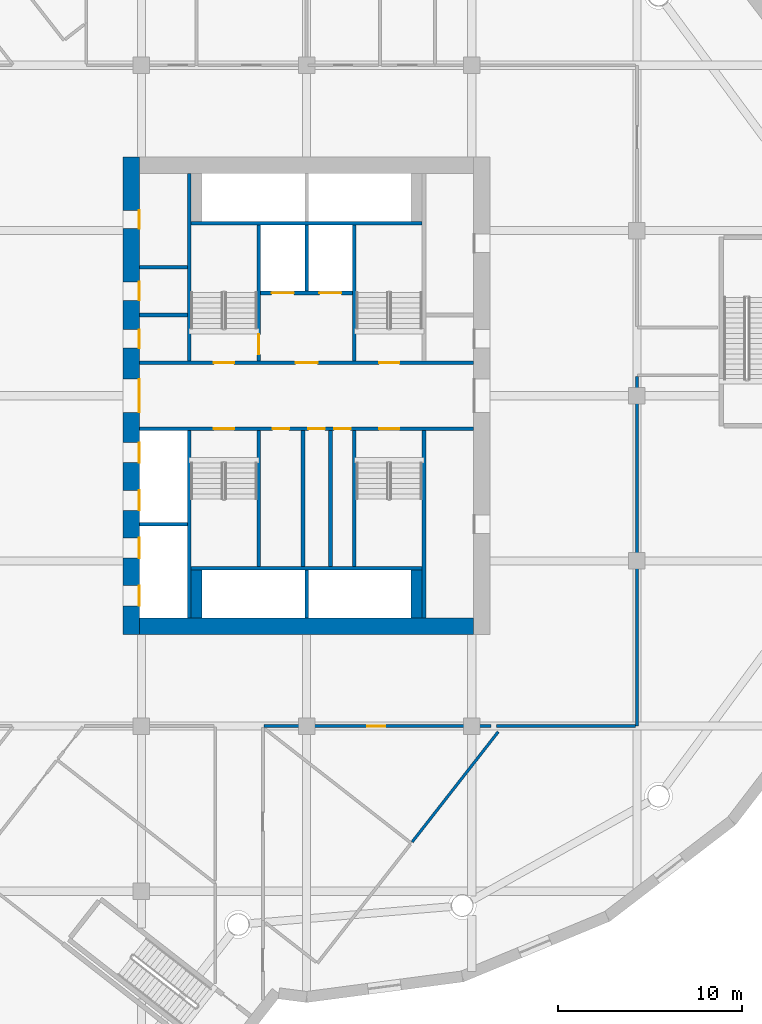
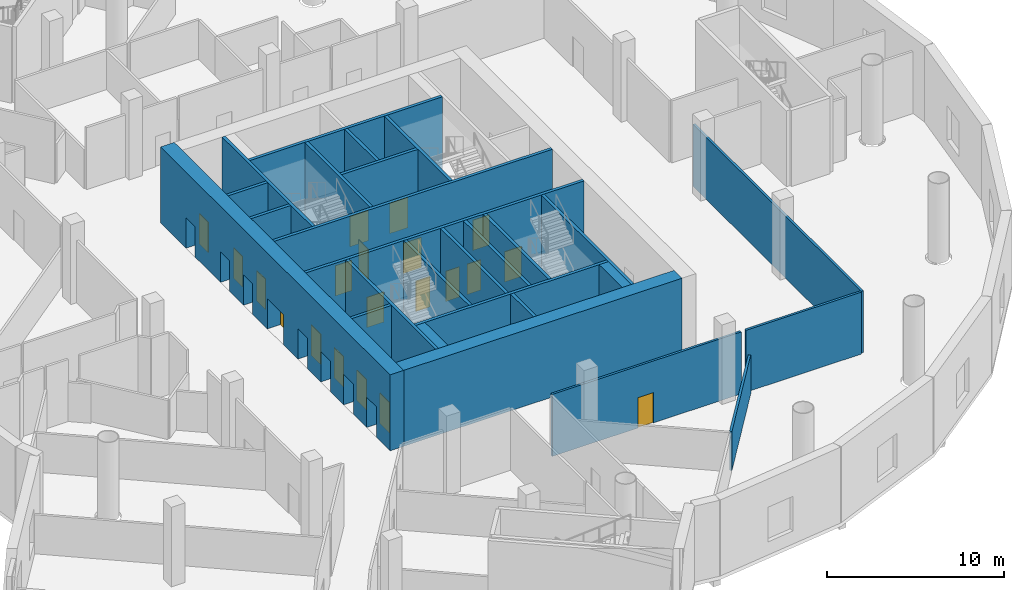
# One storey, part 7 of 23: 27 walls, 20 doors, 20 openings.
"""IFC4 building model written with IfcOpenShell, lengths in metres."""

from ifc_helpers import new_model, si_unit, direction, frame, frame_2d, origin, place, context, subcontext, project, spatial, rectangle, extrude, material, layer, layer_set, type_object, element, fill, save


model = new_model("IFC4")

# Units and contexts
model_context = context("Model", 3, precision=1e-05, world=origin(), true_north=direction((0.0, 1.0)))
body_context = subcontext(model_context, "Body", "Model", "MODEL_VIEW")
ifc_project = project(units=[si_unit("LENGTHUNIT", "METRE"), si_unit("AREAUNIT", "SQUARE_METRE"), si_unit("VOLUMEUNIT", "CUBIC_METRE"), si_unit("PLANEANGLEUNIT", "RADIAN"), si_unit("MASSUNIT", "GRAM", prefix="KILO")], contexts=[model_context])

# Site, building, storey
site_placement = place(None, origin())
site = spatial("IfcSite", under=ifc_project, at=site_placement, CompositionType="ELEMENT")
building_placement = place(site_placement, origin())
building = spatial("IfcBuilding", under=site, at=building_placement, Name="Tarsis Ring Headquarters", CompositionType="ELEMENT")
storey_placement = place(building_placement, frame((0.0, 0.0, 19.5)))
storey = spatial("IfcBuildingStorey", under=building, at=storey_placement, Name="L03", CompositionType="ELEMENT", Elevation=19.5)

# Walls
ifc_material_1 = material(Name="Blockwork", Category="masonry")
ifc_layer_1 = layer(ifc_material_1, 0.199951171875)
ifc_layer_set_1 = layer_set([ifc_layer_1], Name="Core blockwork wall 200")
wall_type_1 = type_object("IfcWallType", Name="Core blockwork wall 200", PredefinedType="PARTITIONING", material=ifc_layer_set_1)
for number, where, z_axis, x_axis, name in (
    (1, (-9.10009765625, 4.39990234375, 0.0), (0.0, 0.0, 1.0), (1.0, 0.0, 0.0), "Core partition WD5"),
    (2, (-9.10009765625, 7.0, 0.0), (0.0, 0.0, 1.0), (1.0, 0.0, 0.0), "Core partition WD6"),
):
    element("IfcWall", number, at=place(storey_placement, frame(where, z_axis=z_axis, x_axis=x_axis)), inside=storey, type_object=wall_type_1, Name=name, PredefinedType="PARTITIONING", context=body_context, shape_type="SweptSolid", body=[
        extrude(rectangle(XDim=2.60009765625, YDim=0.199951171875, at=frame_2d((1.300048828125, 0.0))), origin(), (0.0, 0.0, 1.0), 5.25),
    ])
for number, where, z_axis, x_axis, name in (
    (3, (-0.199951171875, -9.300048828125, 0.0), (0.0, 0.0, 1.0), (0.0, 1.0, 0.0), "Core partition SV1"),
    (4, (1.300048828125, -9.300048828125, 0.0), (0.0, 0.0, 1.0), (0.0, 1.0, 0.0), "Core partition SV2"),
):
    element("IfcWall", number, at=place(storey_placement, frame(where, z_axis=z_axis, x_axis=x_axis)), inside=storey, type_object=wall_type_1, Name=name, PredefinedType="PARTITIONING", context=body_context, shape_type="SweptSolid", body=[
        extrude(rectangle(XDim=7.400146484375, YDim=0.199951171875, at=frame_2d((3.7001953125, 0.0))), origin(), (0.0, 0.0, 1.0), 5.25),
    ])

# Wall, openings, doors
ifc_material_2 = material(Name="Concrete C60/75", Category="concrete")
ifc_layer_2 = layer(ifc_material_2, 0.89990234375)
ifc_layer_set_2 = layer_set([ifc_layer_2], Name="Core wall 900 C60/75")
wall_type_2 = type_object("IfcWallType", Name="Core wall 900 C60/75", PredefinedType="SHEAR", material=ifc_layer_set_2)
wall_1_placement = place(storey_placement, frame((-9.550048828125, -13.0, 0.0), z_axis=(0.0, 0.0, 1.0), x_axis=(0.0, 1.0, 0.0)))
wall_1 = element("IfcWall", 5, at=wall_1_placement, inside=storey, type_object=wall_type_2, Name="Core wall OW", PredefinedType="SHEAR", context=body_context, shape_type="SweptSolid", body=[
    extrude(rectangle(XDim=26.0, YDim=0.89990234375, at=frame_2d((13.0, 0.0))), origin(), (0.0, 0.0, 1.0), 5.25),
])
opening_1_placement = place(wall_1_placement, frame((1.550048828125, 0.0, 0.0)))
opening_1 = element("IfcOpeningElement", 6, at=opening_1_placement, cuts=wall_1, Name="Opening LD-LR1", PredefinedType="OPENING", context=body_context, shape_type="SweptSolid", body=[
    extrude(rectangle(XDim=1.10009765625, YDim=2.10009765625, at=frame_2d((0.550048828125, 1.050048828125))), frame((0.0, 0.4599609375, 0.0), z_axis=(0.0, -1.0, 0.0), x_axis=(1.0, 0.0, 0.0)), (0.0, 0.0, 1.0), 0.919921875),
])
opening_2_placement = place(wall_1_placement, frame((4.14990234375, 0.0, 0.0)))
opening_2 = element("IfcOpeningElement", 7, at=opening_2_placement, cuts=wall_1, Name="Opening LD-LR2", PredefinedType="OPENING", context=body_context, shape_type="SweptSolid", body=[
    extrude(rectangle(XDim=1.10009765625, YDim=2.10009765625, at=frame_2d((0.550048828125, 1.050048828125))), frame((0.0, 0.4599609375, 0.0), z_axis=(0.0, -1.0, 0.0), x_axis=(1.0, 0.0, 0.0)), (0.0, 0.0, 1.0), 0.919921875),
])
opening_3_placement = place(wall_1_placement, frame((6.75, 0.0, 0.0)))
opening_3 = element("IfcOpeningElement", 8, at=opening_3_placement, cuts=wall_1, Name="Opening LD-LR3", PredefinedType="OPENING", context=body_context, shape_type="SweptSolid", body=[
    extrude(rectangle(XDim=1.10009765625, YDim=2.10009765625, at=frame_2d((0.550048828125, 1.050048828125))), frame((0.0, 0.4599609375, 0.0), z_axis=(0.0, -1.0, 0.0), x_axis=(1.0, 0.0, 0.0)), (0.0, 0.0, 1.0), 0.919921875),
])
opening_4_placement = place(wall_1_placement, frame((9.35009765625, 0.0, 0.0)))
opening_4 = element("IfcOpeningElement", 9, at=opening_4_placement, cuts=wall_1, Name="Opening LD-LR4", PredefinedType="OPENING", context=body_context, shape_type="SweptSolid", body=[
    extrude(rectangle(XDim=1.10009765625, YDim=2.10009765625, at=frame_2d((0.550048828125, 1.050048828125))), frame((0.0, 0.4599609375, 0.0), z_axis=(0.0, -1.0, 0.0), x_axis=(1.0, 0.0, 0.0)), (0.0, 0.0, 1.0), 0.919921875),
])
opening_5_placement = place(wall_1_placement, frame((12.10009765625, 0.0, 0.0)))
opening_5 = element("IfcOpeningElement", 10, at=opening_5_placement, cuts=wall_1, Name="Opening L03-C05", PredefinedType="OPENING", context=body_context, shape_type="SweptSolid", body=[
    extrude(rectangle(XDim=1.800048828125, YDim=2.10009765625, at=frame_2d((0.89990234375, 1.050048828125))), frame((0.0, 0.4599609375, 0.0), z_axis=(0.0, -1.0, 0.0), x_axis=(1.0, 0.0, 0.0)), (0.0, 0.0, 1.0), 0.919921875),
])
opening_6_placement = place(wall_1_placement, frame((15.60009765625, 0.0, 0.0)))
opening_6 = element("IfcOpeningElement", 11, at=opening_6_placement, cuts=wall_1, Name="Opening L03-C06", PredefinedType="OPENING", context=body_context, shape_type="SweptSolid", body=[
    extrude(rectangle(XDim=1.0, YDim=2.10009765625, at=frame_2d((0.5, 1.050048828125))), frame((0.0, 0.4599609375, 0.0), z_axis=(0.0, -1.0, 0.0), x_axis=(1.0, 0.0, 0.0)), (0.0, 0.0, 1.0), 0.919921875),
])
opening_7_placement = place(wall_1_placement, frame((18.199951171875, 0.0, 0.0)))
opening_7 = element("IfcOpeningElement", 12, at=opening_7_placement, cuts=wall_1, Name="Opening L03-C07", PredefinedType="OPENING", context=body_context, shape_type="SweptSolid", body=[
    extrude(rectangle(XDim=1.0, YDim=2.10009765625, at=frame_2d((0.5, 1.050048828125))), frame((0.0, 0.4599609375, 0.0), z_axis=(0.0, -1.0, 0.0), x_axis=(1.0, 0.0, 0.0)), (0.0, 0.0, 1.0), 0.919921875),
])
opening_8_placement = place(wall_1_placement, frame((22.10009765625, 0.0, 0.0)))
opening_8 = element("IfcOpeningElement", 13, at=opening_8_placement, cuts=wall_1, Name="Opening L03-C08", PredefinedType="OPENING", context=body_context, shape_type="SweptSolid", body=[
    extrude(rectangle(XDim=1.0, YDim=2.10009765625, at=frame_2d((0.5, 1.050048828125))), frame((0.0, 0.4599609375, 0.0), z_axis=(0.0, -1.0, 0.0), x_axis=(1.0, 0.0, 0.0)), (0.0, 0.0, 1.0), 0.919921875),
])
ifc_material_3 = material(Name="Steel S355", Category="steel")
door_type_1 = type_object("IfcDoorType", Name="Core entry door 1800x2100", OperationType="DOUBLE_DOOR_SINGLE_SWING", PredefinedType="DOOR", material=ifc_material_3)
door_1_placement = place(opening_5_placement, origin())
door_1 = element("IfcDoor", 14, at=door_1_placement, inside=storey, type_object=door_type_1, Name="Core entry door L03", OperationType="DOUBLE_DOOR_SINGLE_SWING", OverallHeight=2.10009765625, OverallWidth=1.800048828125, PredefinedType="DOOR", context=body_context, shape_type="SweptSolid", body=[
    extrude(rectangle(XDim=1.800048828125, YDim=2.10009765625, at=frame_2d((0.89990234375, 1.050048828125))), frame((0.0, -0.39990234375, 0.0), z_axis=(0.0, -1.0, 0.0), x_axis=(1.0, 0.0, 0.0)), (0.0, 0.0, 1.0), 0.050048828125),
])
fill(opening_5, door_1)
door_type_2 = type_object("IfcDoorType", Name="Core room door 1000x2100", OperationType="SINGLE_SWING_LEFT", PredefinedType="DOOR", material=ifc_material_3)
door_2_placement = place(opening_6_placement, origin())
door_2 = element("IfcDoor", 15, at=door_2_placement, inside=storey, type_object=door_type_2, Name="Core room door L03", OperationType="SINGLE_SWING_LEFT", OverallHeight=2.10009765625, OverallWidth=1.0, PredefinedType="DOOR", context=body_context, shape_type="SweptSolid", body=[
    extrude(rectangle(XDim=1.0, YDim=2.10009765625, at=frame_2d((0.5, 1.050048828125))), frame((0.0, -0.39990234375, 0.0), z_axis=(0.0, -1.0, 0.0), x_axis=(1.0, 0.0, 0.0)), (0.0, 0.0, 1.0), 0.050048828125),
])
fill(opening_6, door_2)
door_3_placement = place(opening_7_placement, origin())
door_3 = element("IfcDoor", 16, at=door_3_placement, inside=storey, type_object=door_type_2, Name="Core room door L03", OperationType="SINGLE_SWING_LEFT", OverallHeight=2.10009765625, OverallWidth=1.0, PredefinedType="DOOR", context=body_context, shape_type="SweptSolid", body=[
    extrude(rectangle(XDim=1.0, YDim=2.10009765625, at=frame_2d((0.5, 1.050048828125))), frame((0.0, -0.39990234375, 0.0), z_axis=(0.0, -1.0, 0.0), x_axis=(1.0, 0.0, 0.0)), (0.0, 0.0, 1.0), 0.050048828125),
])
fill(opening_7, door_3)
door_4_placement = place(opening_8_placement, origin())
door_4 = element("IfcDoor", 17, at=door_4_placement, inside=storey, type_object=door_type_2, Name="Core room door L03", OperationType="SINGLE_SWING_LEFT", OverallHeight=2.10009765625, OverallWidth=1.0, PredefinedType="DOOR", context=body_context, shape_type="SweptSolid", body=[
    extrude(rectangle(XDim=1.0, YDim=2.10009765625, at=frame_2d((0.5, 1.050048828125))), frame((0.0, -0.39990234375, 0.0), z_axis=(0.0, -1.0, 0.0), x_axis=(1.0, 0.0, 0.0)), (0.0, 0.0, 1.0), 0.050048828125),
])
fill(opening_8, door_4)
door_type_3 = type_object("IfcDoorType", Name="Landing door 1100x2100", OperationType="SLIDING_TO_LEFT", PredefinedType="DOOR", material=ifc_material_3)
door_5_placement = place(opening_1_placement, origin())
door_5 = element("IfcDoor", 18, at=door_5_placement, inside=storey, type_object=door_type_3, Name="Landing door LR1 L03", OperationType="SLIDING_TO_LEFT", OverallHeight=2.10009765625, OverallWidth=1.10009765625, PredefinedType="DOOR", context=body_context, shape_type="SweptSolid", body=[
    extrude(rectangle(XDim=1.10009765625, YDim=2.10009765625, at=frame_2d((0.550048828125, 1.050048828125))), frame((0.0, -0.39990234375, 0.0), z_axis=(0.0, -1.0, 0.0), x_axis=(1.0, 0.0, 0.0)), (0.0, 0.0, 1.0), 0.050048828125),
])
fill(opening_1, door_5)
door_6_placement = place(opening_2_placement, origin())
door_6 = element("IfcDoor", 19, at=door_6_placement, inside=storey, type_object=door_type_3, Name="Landing door LR2 L03", OperationType="SLIDING_TO_LEFT", OverallHeight=2.10009765625, OverallWidth=1.10009765625, PredefinedType="DOOR", context=body_context, shape_type="SweptSolid", body=[
    extrude(rectangle(XDim=1.10009765625, YDim=2.10009765625, at=frame_2d((0.550048828125, 1.050048828125))), frame((0.0, -0.39990234375, 0.0), z_axis=(0.0, -1.0, 0.0), x_axis=(1.0, 0.0, 0.0)), (0.0, 0.0, 1.0), 0.050048828125),
])
fill(opening_2, door_6)
door_7_placement = place(opening_3_placement, origin())
door_7 = element("IfcDoor", 20, at=door_7_placement, inside=storey, type_object=door_type_3, Name="Landing door LR3 L03", OperationType="SLIDING_TO_LEFT", OverallHeight=2.10009765625, OverallWidth=1.10009765625, PredefinedType="DOOR", context=body_context, shape_type="SweptSolid", body=[
    extrude(rectangle(XDim=1.10009765625, YDim=2.10009765625, at=frame_2d((0.550048828125, 1.050048828125))), frame((0.0, -0.39990234375, 0.0), z_axis=(0.0, -1.0, 0.0), x_axis=(1.0, 0.0, 0.0)), (0.0, 0.0, 1.0), 0.050048828125),
])
fill(opening_3, door_7)
door_8_placement = place(opening_4_placement, origin())
door_8 = element("IfcDoor", 21, at=door_8_placement, inside=storey, type_object=door_type_3, Name="Landing door LR4 L03", OperationType="SLIDING_TO_LEFT", OverallHeight=2.10009765625, OverallWidth=1.10009765625, PredefinedType="DOOR", context=body_context, shape_type="SweptSolid", body=[
    extrude(rectangle(XDim=1.10009765625, YDim=2.10009765625, at=frame_2d((0.550048828125, 1.050048828125))), frame((0.0, -0.39990234375, 0.0), z_axis=(0.0, -1.0, 0.0), x_axis=(1.0, 0.0, 0.0)), (0.0, 0.0, 1.0), 0.050048828125),
])
fill(opening_4, door_8)

# Walls
wall_2_placement = place(storey_placement, frame((-9.10009765625, -12.550048828125, 0.0), z_axis=(0.0, 0.0, 1.0), x_axis=(1.0, 0.0, 0.0)))
element("IfcWall", 22, at=wall_2_placement, inside=storey, type_object=wall_type_2, Name="Core wall OS", PredefinedType="SHEAR", context=body_context, shape_type="SweptSolid", body=[
    extrude(rectangle(XDim=18.2001953125, YDim=0.89990234375, at=frame_2d((9.10009765625, 0.0))), origin(), (0.0, 0.0, 1.0), 5.25),
])
ifc_material_4 = material(Name="Plasterboard partition")
ifc_layer_3 = layer(ifc_material_4, 0.14990234375)
ifc_layer_set_3 = layer_set([ifc_layer_3], Name="PO-PW150")
wall_type_3 = type_object("IfcWallType", Name="PO-PW150", PredefinedType="PARTITIONING", material=ifc_layer_set_3)
wall_3_placement = place(storey_placement, frame((5.74951171875, -24.314208984375, 0.0), z_axis=(0.0, 0.0, 1.0), x_axis=(0.615667046272, 0.788006401075, 0.0)))
element("IfcWall", 23, at=wall_3_placement, inside=storey, type_object=wall_type_3, Name="L03 partition wall 42", PredefinedType="PARTITIONING", context=body_context, shape_type="SweptSolid", body=[
    extrude(rectangle(XDim=7.6201171875, YDim=0.14990234375, at=frame_2d((3.81005859375, 0.0))), origin(), (0.0, 0.0, 1.0), 2.699951171875),
])
ifc_layer_4 = layer(ifc_material_4, 0.14990234375)
ifc_layer_set_4 = layer_set([ifc_layer_4], Name="PO-PW150R-4283")
wall_type_4 = type_object("IfcWallType", Name="PO-PW150R-4283", PredefinedType="PARTITIONING", material=ifc_layer_set_4)
wall_4_placement = place(storey_placement, frame((18.0, 1.050048828125, 0.0), z_axis=(0.0, 0.0, 1.0), x_axis=(0.0, -1.0, 0.0)))
element("IfcWall", 24, at=wall_4_placement, inside=storey, type_object=wall_type_4, Name="L03 partition wall 1", PredefinedType="PARTITIONING", context=body_context, shape_type="SweptSolid", body=[
    extrude(rectangle(XDim=19.050048828125, YDim=0.14990234375, at=frame_2d((9.52490234375, 0.0))), origin(), (0.0, 0.0, 1.0), 4.282958984375),
])

# Wall, opening, door
wall_5_placement = place(storey_placement, frame((10.044677734375, -18.0, 0.0), z_axis=(0.0, 0.0, 1.0), x_axis=(-1.0, 0.0, 0.0)))
wall_5 = element("IfcWall", 25, at=wall_5_placement, inside=storey, type_object=wall_type_4, Name="L03 partition wall 14", PredefinedType="PARTITIONING", context=body_context, shape_type="SweptSolid", body=[
    extrude(rectangle(XDim=12.364501953125, YDim=0.14990234375, at=frame_2d((6.18212890625, 0.0))), origin(), (0.0, 0.0, 1.0), 4.282958984375),
])
opening_9_placement = place(wall_5_placement, frame((5.75, 0.0, 0.0)))
opening_9 = element("IfcOpeningElement", 26, at=opening_9_placement, cuts=wall_5, Name="Opening PO-D1", PredefinedType="OPENING", context=body_context, shape_type="SweptSolid", body=[
    extrude(rectangle(XDim=1.0, YDim=2.10009765625, at=frame_2d((0.5, 1.050048828125))), frame((0.0, 0.0849609375, 0.0), z_axis=(0.0, -1.0, 0.0), x_axis=(1.0, 0.0, 0.0)), (0.0, 0.0, 1.0), 0.169921875),
])
ifc_material_5 = material(Name="Timber door", Category="wood")
door_type_4 = type_object("IfcDoorType", Name="PO-D1000", OperationType="NOTDEFINED", PredefinedType="DOOR", material=ifc_material_5)
door_9_placement = place(opening_9_placement, origin())
door_9 = element("IfcDoor", 27, at=door_9_placement, inside=storey, type_object=door_type_4, Name="Staff clinic door", OperationType="SINGLE_SWING_RIGHT", OverallHeight=2.10009765625, OverallWidth=1.0, PredefinedType="DOOR", context=body_context, shape_type="SweptSolid", body=[
    extrude(rectangle(XDim=1.0, YDim=2.10009765625, at=frame_2d((0.5, 1.050048828125))), frame((0.0, 0.02490234375, 0.0), z_axis=(0.0, -1.0, 0.0), x_axis=(1.0, 0.0, 0.0)), (0.0, 0.0, 1.0), 0.050048828125),
])
fill(opening_9, door_9)

# Walls
wall_6_placement = place(storey_placement, frame((17.919921875, -18.0, 0.0), z_axis=(0.0, 0.0, 1.0), x_axis=(-1.0, 0.0, 0.0)))
element("IfcWall", 28, at=wall_6_placement, inside=storey, type_object=wall_type_4, Name="L03 partition wall 44", PredefinedType="PARTITIONING", context=body_context, shape_type="SweptSolid", body=[
    extrude(rectangle(XDim=7.5634765625, YDim=0.14990234375, at=frame_2d((3.78173828125, 0.0))), origin(), (0.0, 0.0, 1.0), 4.282958984375),
])
ifc_material_6 = material(Name="Concrete C32/40", Category="concrete")
ifc_layer_5 = layer(ifc_material_6, 0.60009765625)
ifc_layer_set_5 = layer_set([ifc_layer_5], Name="Shaft end wall 600 C32/40")
wall_type_5 = type_object("IfcWallType", Name="Shaft end wall 600 C32/40", PredefinedType="SOLIDWALL", material=ifc_layer_set_5)
for number, where, z_axis, x_axis, name in (
    (29, (-6.0, -12.10009765625, 0.0), (0.0, 0.0, 1.0), (0.0, 1.0, 0.0), "Core shaft wall SNE1"),
    (30, (6.0, -12.10009765625, 0.0), (0.0, 0.0, 1.0), (0.0, 1.0, 0.0), "Core shaft wall SNE2"),
):
    element("IfcWall", number, at=place(storey_placement, frame(where, z_axis=z_axis, x_axis=x_axis)), inside=storey, type_object=wall_type_5, Name=name, PredefinedType="SOLIDWALL", context=body_context, shape_type="SweptSolid", body=[
        extrude(rectangle(XDim=2.60009765625, YDim=0.60009765625, at=frame_2d((1.300048828125, 0.0))), origin(), (0.0, 0.0, 1.0), 5.25),
    ])

# Wall, openings, doors
ifc_layer_6 = layer(ifc_material_6, 0.199951171875)
ifc_layer_set_6 = layer_set([ifc_layer_6], Name="Shaft wall 200 C32/40")
wall_type_6 = type_object("IfcWallType", Name="Shaft wall 200 C32/40", PredefinedType="SOLIDWALL", material=ifc_layer_set_6)
wall_7_placement = place(storey_placement, frame((-9.10009765625, 1.800048828125, 0.0), z_axis=(0.0, 0.0, 1.0), x_axis=(1.0, 0.0, 0.0)))
wall_7 = element("IfcWall", 31, at=wall_7_placement, inside=storey, type_object=wall_type_6, Name="Core shaft wall CN", PredefinedType="SOLIDWALL", context=body_context, shape_type="SweptSolid", body=[
    extrude(rectangle(XDim=18.2001953125, YDim=0.199951171875, at=frame_2d((9.10009765625, 0.0))), origin(), (0.0, 0.0, 1.0), 5.25),
])
opening_10_placement = place(wall_7_placement, frame((4.050048828125, 0.0, 0.0)))
opening_10 = element("IfcOpeningElement", 32, at=opening_10_placement, cuts=wall_7, Name="Opening L03-C13", PredefinedType="OPENING", context=body_context, shape_type="SweptSolid", body=[
    extrude(rectangle(XDim=1.10009765625, YDim=2.10009765625, at=frame_2d((0.550048828125, 1.050048828125))), frame((0.0, 0.10986328125, 0.0), z_axis=(0.0, -1.0, 0.0), x_axis=(1.0, 0.0, 0.0)), (0.0, 0.0, 1.0), 0.219970703125),
])
opening_11_placement = place(wall_7_placement, frame((8.5, 0.0, 0.0)))
opening_11 = element("IfcOpeningElement", 33, at=opening_11_placement, cuts=wall_7, Name="Opening L03-C14", PredefinedType="OPENING", context=body_context, shape_type="SweptSolid", body=[
    extrude(rectangle(XDim=1.199951171875, YDim=2.10009765625, at=frame_2d((0.60009765625, 1.050048828125))), frame((0.0, 0.10986328125, 0.0), z_axis=(0.0, -1.0, 0.0), x_axis=(1.0, 0.0, 0.0)), (0.0, 0.0, 1.0), 0.219970703125),
])
opening_12_placement = place(wall_7_placement, frame((13.050048828125, 0.0, 0.0)))
opening_12 = element("IfcOpeningElement", 34, at=opening_12_placement, cuts=wall_7, Name="Opening L03-C15", PredefinedType="OPENING", context=body_context, shape_type="SweptSolid", body=[
    extrude(rectangle(XDim=1.10009765625, YDim=2.10009765625, at=frame_2d((0.550048828125, 1.050048828125))), frame((0.0, 0.10986328125, 0.0), z_axis=(0.0, -1.0, 0.0), x_axis=(1.0, 0.0, 0.0)), (0.0, 0.0, 1.0), 0.219970703125),
])
door_type_5 = type_object("IfcDoorType", Name="Firefighting lobby door 1200x2100", OperationType="DOUBLE_DOOR_SINGLE_SWING", PredefinedType="DOOR", material=ifc_material_3)
door_10_placement = place(opening_11_placement, origin())
door_10 = element("IfcDoor", 35, at=door_10_placement, inside=storey, type_object=door_type_5, Name="Firefighting lobby door L03", OperationType="DOUBLE_DOOR_SINGLE_SWING", OverallHeight=2.10009765625, OverallWidth=1.199951171875, PredefinedType="DOOR", context=body_context, shape_type="SweptSolid", body=[
    extrude(rectangle(XDim=1.199951171875, YDim=2.10009765625, at=frame_2d((0.60009765625, 1.050048828125))), frame((0.0, 0.02490234375, 0.0), z_axis=(0.0, -1.0, 0.0), x_axis=(1.0, 0.0, 0.0)), (0.0, 0.0, 1.0), 0.050048828125),
])
fill(opening_11, door_10)
door_type_6 = type_object("IfcDoorType", Name="Stair door 1100x2100", OperationType="SINGLE_SWING_LEFT", PredefinedType="DOOR", material=ifc_material_3)
door_11_placement = place(opening_10_placement, origin())
door_11 = element("IfcDoor", 36, at=door_11_placement, inside=storey, type_object=door_type_6, Name="Stair door L03", OperationType="SINGLE_SWING_LEFT", OverallHeight=2.10009765625, OverallWidth=1.10009765625, PredefinedType="DOOR", context=body_context, shape_type="SweptSolid", body=[
    extrude(rectangle(XDim=1.10009765625, YDim=2.10009765625, at=frame_2d((0.550048828125, 1.050048828125))), frame((0.0, 0.02490234375, 0.0), z_axis=(0.0, -1.0, 0.0), x_axis=(1.0, 0.0, 0.0)), (0.0, 0.0, 1.0), 0.050048828125),
])
fill(opening_10, door_11)
door_12_placement = place(opening_12_placement, origin())
door_12 = element("IfcDoor", 37, at=door_12_placement, inside=storey, type_object=door_type_6, Name="Stair door L03", OperationType="SINGLE_SWING_LEFT", OverallHeight=2.10009765625, OverallWidth=1.10009765625, PredefinedType="DOOR", context=body_context, shape_type="SweptSolid", body=[
    extrude(rectangle(XDim=1.10009765625, YDim=2.10009765625, at=frame_2d((0.550048828125, 1.050048828125))), frame((0.0, 0.02490234375, 0.0), z_axis=(0.0, -1.0, 0.0), x_axis=(1.0, 0.0, 0.0)), (0.0, 0.0, 1.0), 0.050048828125),
])
fill(opening_12, door_12)

wall_8_placement = place(storey_placement, frame((-9.10009765625, -1.800048828125, 0.0), z_axis=(0.0, 0.0, 1.0), x_axis=(1.0, 0.0, 0.0)))
wall_8 = element("IfcWall", 38, at=wall_8_placement, inside=storey, type_object=wall_type_6, Name="Core shaft wall CS", PredefinedType="SOLIDWALL", context=body_context, shape_type="SweptSolid", body=[
    extrude(rectangle(XDim=18.2001953125, YDim=0.199951171875, at=frame_2d((9.10009765625, 0.0))), origin(), (0.0, 0.0, 1.0), 5.25),
])
opening_13_placement = place(wall_8_placement, frame((4.050048828125, 0.0, 0.0)))
opening_13 = element("IfcOpeningElement", 39, at=opening_13_placement, cuts=wall_8, Name="Opening L03-C16", PredefinedType="OPENING", context=body_context, shape_type="SweptSolid", body=[
    extrude(rectangle(XDim=1.10009765625, YDim=2.10009765625, at=frame_2d((0.550048828125, 1.050048828125))), frame((0.0, 0.10986328125, 0.0), z_axis=(0.0, -1.0, 0.0), x_axis=(1.0, 0.0, 0.0)), (0.0, 0.0, 1.0), 0.219970703125),
])
opening_14_placement = place(wall_8_placement, frame((7.25, 0.0, 0.0)))
opening_14 = element("IfcOpeningElement", 40, at=opening_14_placement, cuts=wall_8, Name="Opening L03-C17", PredefinedType="OPENING", context=body_context, shape_type="SweptSolid", body=[
    extrude(rectangle(XDim=0.89990234375, YDim=2.10009765625, at=frame_2d((0.449951171875, 1.050048828125))), frame((0.0, 0.10986328125, 0.0), z_axis=(0.0, -1.0, 0.0), x_axis=(1.0, 0.0, 0.0)), (0.0, 0.0, 1.0), 0.219970703125),
])
opening_15_placement = place(wall_8_placement, frame((9.199951171875, 0.0, 0.0)))
opening_15 = element("IfcOpeningElement", 41, at=opening_15_placement, cuts=wall_8, Name="Opening L03-C18", PredefinedType="OPENING", context=body_context, shape_type="SweptSolid", body=[
    extrude(rectangle(XDim=0.89990234375, YDim=2.10009765625, at=frame_2d((0.449951171875, 1.050048828125))), frame((0.0, 0.10986328125, 0.0), z_axis=(0.0, -1.0, 0.0), x_axis=(1.0, 0.0, 0.0)), (0.0, 0.0, 1.0), 0.219970703125),
])
opening_16_placement = place(wall_8_placement, frame((10.60009765625, 0.0, 0.0)))
opening_16 = element("IfcOpeningElement", 42, at=opening_16_placement, cuts=wall_8, Name="Opening L03-C19", PredefinedType="OPENING", context=body_context, shape_type="SweptSolid", body=[
    extrude(rectangle(XDim=0.89990234375, YDim=2.10009765625, at=frame_2d((0.449951171875, 1.050048828125))), frame((0.0, 0.10986328125, 0.0), z_axis=(0.0, -1.0, 0.0), x_axis=(1.0, 0.0, 0.0)), (0.0, 0.0, 1.0), 0.219970703125),
])
opening_17_placement = place(wall_8_placement, frame((13.050048828125, 0.0, 0.0)))
opening_17 = element("IfcOpeningElement", 43, at=opening_17_placement, cuts=wall_8, Name="Opening L03-C20", PredefinedType="OPENING", context=body_context, shape_type="SweptSolid", body=[
    extrude(rectangle(XDim=1.10009765625, YDim=2.10009765625, at=frame_2d((0.550048828125, 1.050048828125))), frame((0.0, 0.10986328125, 0.0), z_axis=(0.0, -1.0, 0.0), x_axis=(1.0, 0.0, 0.0)), (0.0, 0.0, 1.0), 0.219970703125),
])
door_13_placement = place(opening_13_placement, origin())
door_13 = element("IfcDoor", 44, at=door_13_placement, inside=storey, type_object=door_type_6, Name="Stair door L03", OperationType="SINGLE_SWING_LEFT", OverallHeight=2.10009765625, OverallWidth=1.10009765625, PredefinedType="DOOR", context=body_context, shape_type="SweptSolid", body=[
    extrude(rectangle(XDim=1.10009765625, YDim=2.10009765625, at=frame_2d((0.550048828125, 1.050048828125))), frame((0.0, 0.02490234375, 0.0), z_axis=(0.0, -1.0, 0.0), x_axis=(1.0, 0.0, 0.0)), (0.0, 0.0, 1.0), 0.050048828125),
])
fill(opening_13, door_13)
door_14_placement = place(opening_17_placement, origin())
door_14 = element("IfcDoor", 45, at=door_14_placement, inside=storey, type_object=door_type_6, Name="Stair door L03", OperationType="SINGLE_SWING_LEFT", OverallHeight=2.10009765625, OverallWidth=1.10009765625, PredefinedType="DOOR", context=body_context, shape_type="SweptSolid", body=[
    extrude(rectangle(XDim=1.10009765625, YDim=2.10009765625, at=frame_2d((0.550048828125, 1.050048828125))), frame((0.0, 0.02490234375, 0.0), z_axis=(0.0, -1.0, 0.0), x_axis=(1.0, 0.0, 0.0)), (0.0, 0.0, 1.0), 0.050048828125),
])
fill(opening_17, door_14)
door_type_7 = type_object("IfcDoorType", Name="WC door 900x2100", OperationType="SINGLE_SWING_LEFT", PredefinedType="DOOR", material=ifc_material_3)
door_15_placement = place(opening_14_placement, origin())
door_15 = element("IfcDoor", 46, at=door_15_placement, inside=storey, type_object=door_type_7, Name="WC door L03", OperationType="SINGLE_SWING_LEFT", OverallHeight=2.10009765625, OverallWidth=0.89990234375, PredefinedType="DOOR", context=body_context, shape_type="SweptSolid", body=[
    extrude(rectangle(XDim=0.89990234375, YDim=2.10009765625, at=frame_2d((0.449951171875, 1.050048828125))), frame((0.0, 0.02490234375, 0.0), z_axis=(0.0, -1.0, 0.0), x_axis=(1.0, 0.0, 0.0)), (0.0, 0.0, 1.0), 0.050048828125),
])
fill(opening_14, door_15)
door_16_placement = place(opening_15_placement, origin())
door_16 = element("IfcDoor", 47, at=door_16_placement, inside=storey, type_object=door_type_7, Name="WC door L03", OperationType="SINGLE_SWING_LEFT", OverallHeight=2.10009765625, OverallWidth=0.89990234375, PredefinedType="DOOR", context=body_context, shape_type="SweptSolid", body=[
    extrude(rectangle(XDim=0.89990234375, YDim=2.10009765625, at=frame_2d((0.449951171875, 1.050048828125))), frame((0.0, 0.02490234375, 0.0), z_axis=(0.0, -1.0, 0.0), x_axis=(1.0, 0.0, 0.0)), (0.0, 0.0, 1.0), 0.050048828125),
])
fill(opening_15, door_16)
door_17_placement = place(opening_16_placement, origin())
door_17 = element("IfcDoor", 48, at=door_17_placement, inside=storey, type_object=door_type_7, Name="WC door L03", OperationType="SINGLE_SWING_LEFT", OverallHeight=2.10009765625, OverallWidth=0.89990234375, PredefinedType="DOOR", context=body_context, shape_type="SweptSolid", body=[
    extrude(rectangle(XDim=0.89990234375, YDim=2.10009765625, at=frame_2d((0.449951171875, 1.050048828125))), frame((0.0, 0.02490234375, 0.0), z_axis=(0.0, -1.0, 0.0), x_axis=(1.0, 0.0, 0.0)), (0.0, 0.0, 1.0), 0.050048828125),
])
fill(opening_16, door_17)

# Walls
for number, where, z_axis, x_axis, name in (
    (49, (-6.39990234375, -12.10009765625, 0.0), (0.0, 0.0, 1.0), (0.0, 1.0, 0.0), "Core shaft wall WB1"),
    (50, (-6.39990234375, 1.89990234375, 0.0), (0.0, 0.0, 1.0), (0.0, 1.0, 0.0), "Core shaft wall WB2"),
    (51, (6.39990234375, -12.10009765625, 0.0), (0.0, 0.0, 1.0), (0.0, 1.0, 0.0), "Core shaft wall EB1"),
):
    element("IfcWall", number, at=place(storey_placement, frame(where, z_axis=z_axis, x_axis=x_axis)), inside=storey, type_object=wall_type_6, Name=name, PredefinedType="SOLIDWALL", context=body_context, shape_type="SweptSolid", body=[
        extrude(rectangle(XDim=10.2001953125, YDim=0.199951171875, at=frame_2d((5.10009765625, 0.0))), origin(), (0.0, 0.0, 1.0), 5.25),
    ])
for number, where, z_axis, x_axis, name in (
    (52, (-6.300048828125, 9.39990234375, 0.0), (0.0, 0.0, 1.0), (1.0, 0.0, 0.0), "Core shaft wall NB"),
    (53, (-6.300048828125, -9.39990234375, 0.0), (0.0, 0.0, 1.0), (1.0, 0.0, 0.0), "Core shaft wall SB"),
):
    element("IfcWall", number, at=place(storey_placement, frame(where, z_axis=z_axis, x_axis=x_axis)), inside=storey, type_object=wall_type_6, Name=name, PredefinedType="SOLIDWALL", context=body_context, shape_type="SweptSolid", body=[
        extrude(rectangle(XDim=12.60009765625, YDim=0.199951171875, at=frame_2d((6.300048828125, 0.0))), origin(), (0.0, 0.0, 1.0), 5.25),
    ])

# Wall, opening, door
wall_9_placement = place(storey_placement, frame((-2.60009765625, 1.89990234375, 0.0), z_axis=(0.0, 0.0, 1.0), x_axis=(0.0, 1.0, 0.0)))
wall_9 = element("IfcWall", 54, at=wall_9_placement, inside=storey, type_object=wall_type_6, Name="Core shaft wall SW1", PredefinedType="SOLIDWALL", context=body_context, shape_type="SweptSolid", body=[
    extrude(rectangle(XDim=7.400146484375, YDim=0.199951171875, at=frame_2d((3.7001953125, 0.0))), origin(), (0.0, 0.0, 1.0), 5.25),
])
opening_18_placement = place(wall_9_placement, frame((0.35009765625, 0.0, 0.0)))
opening_18 = element("IfcOpeningElement", 55, at=opening_18_placement, cuts=wall_9, Name="Opening L03-C21", PredefinedType="OPENING", context=body_context, shape_type="SweptSolid", body=[
    extrude(rectangle(XDim=1.10009765625, YDim=2.10009765625, at=frame_2d((0.550048828125, 1.050048828125))), frame((0.0, 0.10986328125, 0.0), z_axis=(0.0, -1.0, 0.0), x_axis=(1.0, 0.0, 0.0)), (0.0, 0.0, 1.0), 0.219970703125),
])
door_18_placement = place(opening_18_placement, origin())
door_18 = element("IfcDoor", 56, at=door_18_placement, inside=storey, type_object=door_type_6, Name="Stair door L03", OperationType="SINGLE_SWING_LEFT", OverallHeight=2.10009765625, OverallWidth=1.10009765625, PredefinedType="DOOR", context=body_context, shape_type="SweptSolid", body=[
    extrude(rectangle(XDim=1.10009765625, YDim=2.10009765625, at=frame_2d((0.550048828125, 1.050048828125))), frame((0.0, 0.02490234375, 0.0), z_axis=(0.0, -1.0, 0.0), x_axis=(1.0, 0.0, 0.0)), (0.0, 0.0, 1.0), 0.050048828125),
])
fill(opening_18, door_18)

# Walls
for number, where, z_axis, x_axis, name in (
    (57, (2.60009765625, 1.89990234375, 0.0), (0.0, 0.0, 1.0), (0.0, 1.0, 0.0), "Core shaft wall SW2"),
    (58, (-2.60009765625, -9.300048828125, 0.0), (0.0, 0.0, 1.0), (0.0, 1.0, 0.0), "Core shaft wall SW3"),
    (59, (2.60009765625, -9.300048828125, 0.0), (0.0, 0.0, 1.0), (0.0, 1.0, 0.0), "Core shaft wall SW4"),
):
    element("IfcWall", number, at=place(storey_placement, frame(where, z_axis=z_axis, x_axis=x_axis)), inside=storey, type_object=wall_type_6, Name=name, PredefinedType="SOLIDWALL", context=body_context, shape_type="SweptSolid", body=[
        extrude(rectangle(XDim=7.400146484375, YDim=0.199951171875, at=frame_2d((3.7001953125, 0.0))), origin(), (0.0, 0.0, 1.0), 5.25),
    ])

# Wall, openings, doors
wall_10_placement = place(storey_placement, frame((-2.5, 5.60009765625, 0.0), z_axis=(0.0, 0.0, 1.0), x_axis=(1.0, 0.0, 0.0)))
wall_10 = element("IfcWall", 60, at=wall_10_placement, inside=storey, type_object=wall_type_6, Name="Core shaft wall FFN", PredefinedType="SOLIDWALL", context=body_context, shape_type="SweptSolid", body=[
    extrude(rectangle(XDim=5.0, YDim=0.199951171875, at=frame_2d((2.5, 0.0))), origin(), (0.0, 0.0, 1.0), 5.25),
])
opening_19_placement = place(wall_10_placement, frame((0.60009765625, 0.0, 0.0)))
opening_19 = element("IfcOpeningElement", 61, at=opening_19_placement, cuts=wall_10, Name="Opening LDF-1", PredefinedType="OPENING", context=body_context, shape_type="SweptSolid", body=[
    extrude(rectangle(XDim=1.199951171875, YDim=2.10009765625, at=frame_2d((0.60009765625, 1.050048828125))), frame((0.0, 0.10986328125, 0.0), z_axis=(0.0, -1.0, 0.0), x_axis=(1.0, 0.0, 0.0)), (0.0, 0.0, 1.0), 0.219970703125),
])
opening_20_placement = place(wall_10_placement, frame((3.199951171875, 0.0, 0.0)))
opening_20 = element("IfcOpeningElement", 62, at=opening_20_placement, cuts=wall_10, Name="Opening LDF-2", PredefinedType="OPENING", context=body_context, shape_type="SweptSolid", body=[
    extrude(rectangle(XDim=1.199951171875, YDim=2.10009765625, at=frame_2d((0.60009765625, 1.050048828125))), frame((0.0, 0.10986328125, 0.0), z_axis=(0.0, -1.0, 0.0), x_axis=(1.0, 0.0, 0.0)), (0.0, 0.0, 1.0), 0.219970703125),
])
door_type_8 = type_object("IfcDoorType", Name="Firefighting landing door 1200x2100", OperationType="SLIDING_TO_LEFT", PredefinedType="DOOR", material=ifc_material_3)
door_19_placement = place(opening_19_placement, origin())
door_19 = element("IfcDoor", 63, at=door_19_placement, inside=storey, type_object=door_type_8, Name="Landing door FF1 L03", OperationType="SLIDING_TO_LEFT", OverallHeight=2.10009765625, OverallWidth=1.199951171875, PredefinedType="DOOR", context=body_context, shape_type="SweptSolid", body=[
    extrude(rectangle(XDim=1.199951171875, YDim=2.10009765625, at=frame_2d((0.60009765625, 1.050048828125))), frame((0.0, 0.02490234375, 0.0), z_axis=(0.0, -1.0, 0.0), x_axis=(1.0, 0.0, 0.0)), (0.0, 0.0, 1.0), 0.050048828125),
])
fill(opening_19, door_19)
door_20_placement = place(opening_20_placement, origin())
door_20 = element("IfcDoor", 64, at=door_20_placement, inside=storey, type_object=door_type_8, Name="Landing door FF2 L03", OperationType="SLIDING_TO_LEFT", OverallHeight=2.10009765625, OverallWidth=1.199951171875, PredefinedType="DOOR", context=body_context, shape_type="SweptSolid", body=[
    extrude(rectangle(XDim=1.199951171875, YDim=2.10009765625, at=frame_2d((0.60009765625, 1.050048828125))), frame((0.0, 0.02490234375, 0.0), z_axis=(0.0, -1.0, 0.0), x_axis=(1.0, 0.0, 0.0)), (0.0, 0.0, 1.0), 0.050048828125),
])
fill(opening_20, door_20)

# Walls
wall_11_placement = place(storey_placement, frame((0.0, 5.699951171875, 0.0), z_axis=(0.0, 0.0, 1.0), x_axis=(0.0, 1.0, 0.0)))
element("IfcWall", 65, at=wall_11_placement, inside=storey, type_object=wall_type_6, Name="Core shaft wall FFD", PredefinedType="SOLIDWALL", context=body_context, shape_type="SweptSolid", body=[
    extrude(rectangle(XDim=3.60009765625, YDim=0.199951171875, at=frame_2d((1.800048828125, 0.0))), origin(), (0.0, 0.0, 1.0), 5.25),
])
for number, where, z_axis, x_axis, name in (
    (66, (-9.10009765625, -7.0, 0.0), (0.0, 0.0, 1.0), (1.0, 0.0, 0.0), "Core shaft wall WD2"),
    (67, (0.0, -12.10009765625, 0.0), (0.0, 0.0, 1.0), (0.0, 1.0, 0.0), "Core shaft wall SD2"),
):
    element("IfcWall", number, at=place(storey_placement, frame(where, z_axis=z_axis, x_axis=x_axis)), inside=storey, type_object=wall_type_6, Name=name, PredefinedType="SOLIDWALL", context=body_context, shape_type="SweptSolid", body=[
        extrude(rectangle(XDim=2.60009765625, YDim=0.199951171875, at=frame_2d((1.300048828125, 0.0))), origin(), (0.0, 0.0, 1.0), 5.25),
    ])

save(model, "model.ifc")
